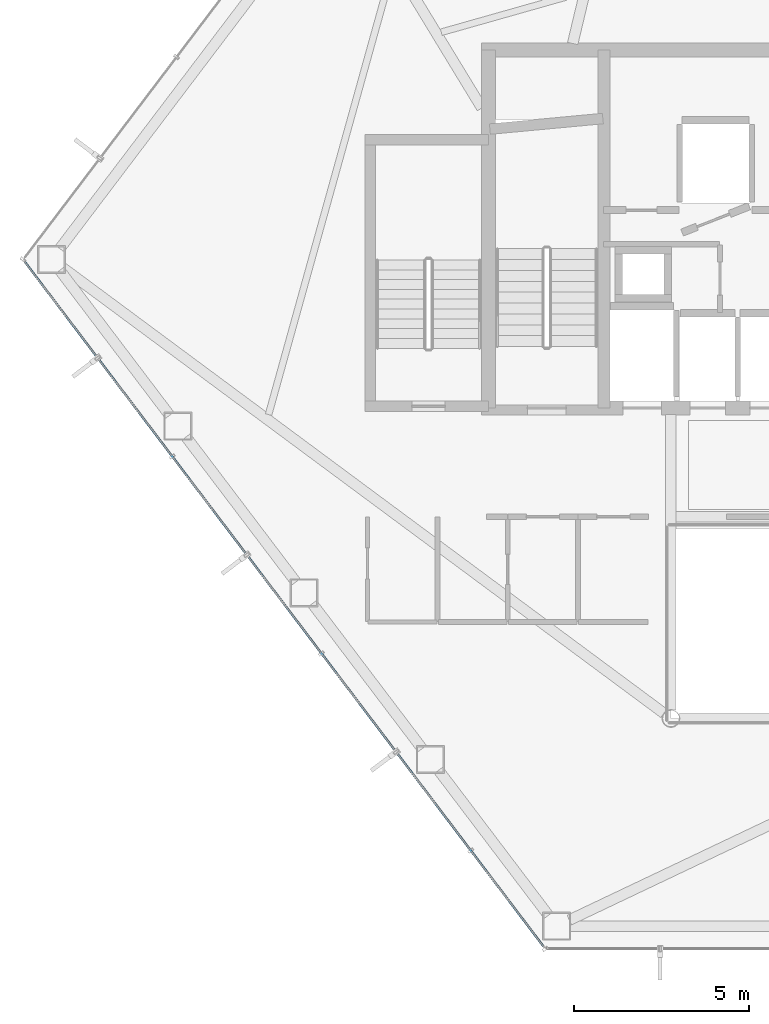
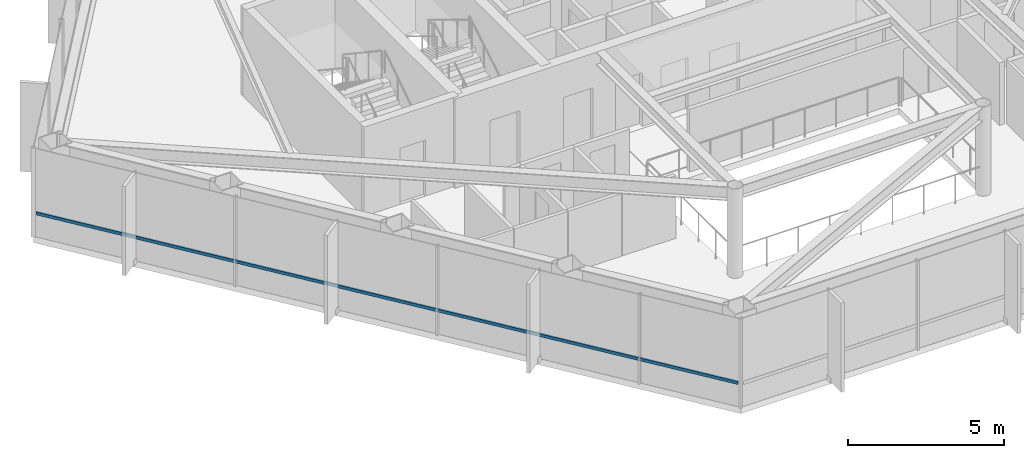
# One storey, part 3 of 28: 1 member, 1 element without a shape of its own.
"""IFC4 building model written with IfcOpenShell, lengths in metres."""

from ifc_helpers import new_model, si_unit, direction, frame, origin, origin_2d, place, context, subcontext, project, spatial, hollow_rectangle, extrude, material, layer, layer_set, material_profile, profile_set, type_object, element, aggregate, save


model = new_model("IFC4")

# Units and contexts
model_context = context("Model", 3, precision=1e-05, world=origin(), true_north=direction((0.0, 1.0)))
body_context = subcontext(model_context, "Body", "Model", "MODEL_VIEW")
ifc_project = project(units=[si_unit("LENGTHUNIT", "METRE"), si_unit("AREAUNIT", "SQUARE_METRE"), si_unit("VOLUMEUNIT", "CUBIC_METRE"), si_unit("PLANEANGLEUNIT", "RADIAN"), si_unit("MASSUNIT", "GRAM", prefix="KILO")], contexts=[model_context])

# Site, building, storey
site_placement = place(None, origin())
site = spatial("IfcSite", under=ifc_project, at=site_placement, CompositionType="ELEMENT")
building_placement = place(site_placement, origin())
building = spatial("IfcBuilding", under=site, at=building_placement, Name="Zarrinselat Tower", CompositionType="ELEMENT")
storey_placement = place(building_placement, frame((0.0, 0.0, 149.60009765625)))
storey = spatial("IfcBuildingStorey", under=building, at=storey_placement, Name="L36", CompositionType="ELEMENT", Elevation=149.60009765625)

# Curtain wall, member
ifc_material_1 = material(Name="Extruded Aluminium Alloy EN AW-6063 T6", Category="aluminium")
ifc_layer = layer(ifc_material_1, 0.175048828125)
ifc_layer_set = layer_set([ifc_layer], Name="Extruded Aluminium Alloy EN AW-6063 T6")
curtain_wall_type = type_object("IfcCurtainWallType", Name="CWS-HTL", PredefinedType="NOTDEFINED", material=ifc_layer_set)
curtain_wall_placement = place(storey_placement, origin())
curtain_wall = element("IfcCurtainWall", 1, at=curtain_wall_placement, inside=storey, type_object=curtain_wall_type, Name="L36 Unitised Curtain Wall CW-L36-E03", PredefinedType="NOTDEFINED")
ifc_material_2 = material(Name="Extruded Aluminium Alloy EN AW-6063 T6", Category="aluminium")
ifc_material_profile = material_profile(ifc_material_2, hollow_rectangle(XDim=0.06005859375, YDim=0.1201171875, WallThickness=0.00390625, at=origin_2d()), Name="RHS 120x60x4")
ifc_profile_set = profile_set([ifc_material_profile], Name="Extruded Aluminium Alloy EN AW-6063 T6")
member_type = type_object("IfcMemberType", Name="MEM-CW-TRN2", PredefinedType="USERDEFINED", material=ifc_profile_set)
member_placement = place(storey_placement, frame((15.385986328125, 37.41162109375, 0.949951171875), z_axis=(0.603864986121, -0.797086619218, 0.0), x_axis=(0.797086619218, 0.603864986121, 0.0)))
member = element("IfcMember", 2, at=member_placement, type_object=member_type, Name="CW-L36-E03 Transom 1", ObjectType="TRANSOM", PredefinedType="USERDEFINED", context=body_context, shape_type="SweptSolid", body=[
    extrude(hollow_rectangle(XDim=0.06005859375, YDim=0.1201171875, WallThickness=0.00390625, at=origin_2d()), origin(), (0.0, 0.0, 1.0), 24.474609375),
])
aggregate(curtain_wall, [member])

save(model, "model.ifc")
